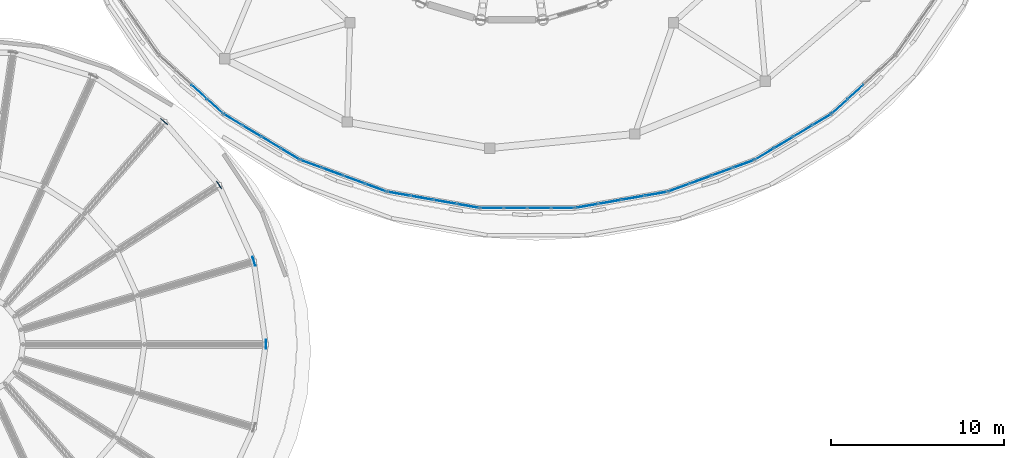
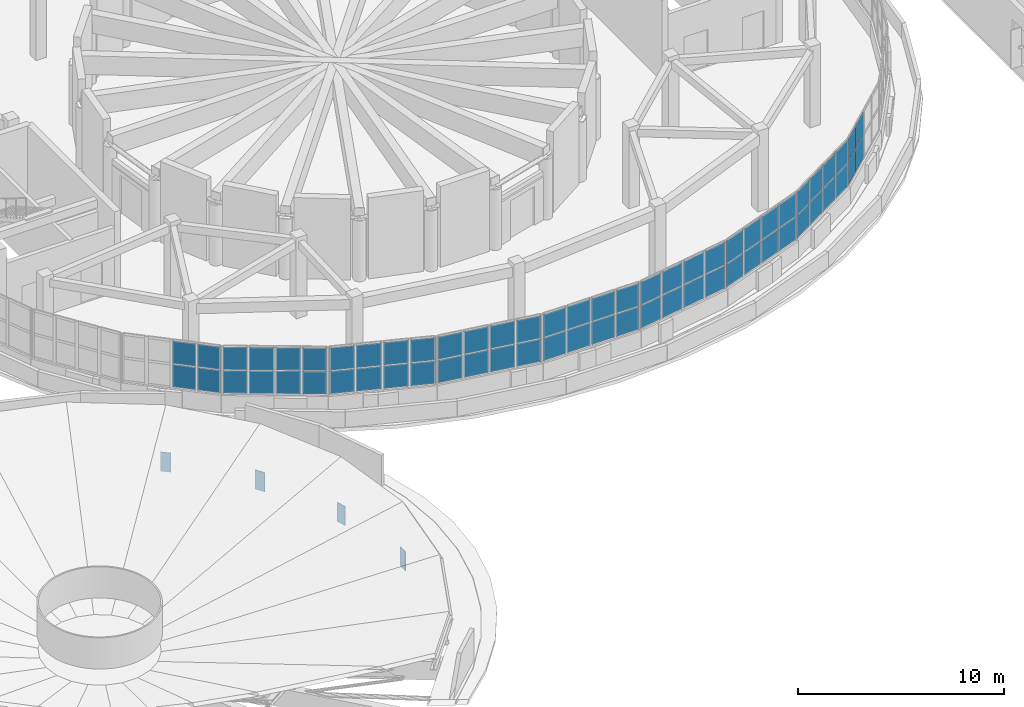
# One storey, part 43 of 69: 68 plates, 9 elements without a shape of their own.
"""IFC4 building model written with IfcOpenShell, lengths in metres."""

from ifc_helpers import new_model, si_unit, direction, frame, origin, origin_2d, place, context, subcontext, project, spatial, rectangle, extrude, material, layer, layer_set, type_object, element, aggregate, save


model = new_model("IFC4")

# Units and contexts
model_context = context("Model", 3, precision=1e-05, world=origin(), true_north=direction((0.0, 1.0)))
body_context = subcontext(model_context, "Body", "Model", "MODEL_VIEW")
ifc_project = project(units=[si_unit("LENGTHUNIT", "METRE"), si_unit("AREAUNIT", "SQUARE_METRE"), si_unit("VOLUMEUNIT", "CUBIC_METRE"), si_unit("PLANEANGLEUNIT", "RADIAN"), si_unit("MASSUNIT", "GRAM", prefix="KILO")], contexts=[model_context])

# Site, building, storey
site_placement = place(None, origin())
site = spatial("IfcSite", under=ifc_project, at=site_placement, CompositionType="ELEMENT")
building_placement = place(site_placement, origin())
building = spatial("IfcBuilding", under=site, at=building_placement, Name="Pelvatis Terrace Science Centre", CompositionType="ELEMENT")
storey_placement = place(building_placement, frame((0.0, 0.0, 15.0)))
storey = spatial("IfcBuildingStorey", under=building, at=storey_placement, Name="L03", CompositionType="ELEMENT", Elevation=15.0)

# Curtain wall, plates
ifc_material_1 = material(Name="Bronze-anodised aluminium and laminated glass", Category="aluminium")
ifc_layer_1 = layer(ifc_material_1, 0.179931640625)
ifc_layer_set_1 = layer_set([ifc_layer_1], Name="Bronze-anodised aluminium and laminated glass")
curtain_wall_type = type_object("IfcCurtainWallType", Name="CW-RIBBON-A", PredefinedType="NOTDEFINED", material=ifc_layer_set_1)
curtain_wall_1_placement = place(storey_placement, origin())
curtain_wall_1 = element("IfcCurtainWall", 1, at=curtain_wall_1_placement, inside=storey, type_object=curtain_wall_type, Name="Ribbon curtain wall CW-201 (L03)", PredefinedType="NOTDEFINED")
ifc_material_2 = material(Name="Low-e laminated solar-control double glazing", Category="glass")
ifc_layer_2 = layer(ifc_material_2, 0.035888671875)
ifc_layer_set_2 = layer_set([ifc_layer_2], Name="Low-e laminated solar-control double glazing")
plate_type_1 = type_object("IfcPlateType", Name="CWP-IGU-36", PredefinedType="CURTAIN_PANEL", material=ifc_layer_set_2)
plate_1_placement = place(storey_placement, frame((91.158203125, 69.172119140625, 1.080078125), z_axis=(0.0, 0.0, 1.0), x_axis=(0.737404165127, -0.675451772708, 0.0)))
plate_1 = element("IfcPlate", 2, at=plate_1_placement, type_object=plate_type_1, Name="CW-201 panel 3.1", PredefinedType="CURTAIN_PANEL", context=body_context, shape_type="SweptSolid", body=[
    extrude(rectangle(XDim=1.184814453125, YDim=0.035888671875, at=origin_2d()), origin(), (0.0, 0.0, 1.0), 1.3349609375),
])
plate_2_placement = place(storey_placement, frame((91.158203125, 69.172119140625, 2.47509765625), z_axis=(0.0, 0.0, 1.0), x_axis=(0.737404165127, -0.675451772708, 0.0)))
plate_2 = element("IfcPlate", 3, at=plate_2_placement, type_object=plate_type_1, Name="CW-201 panel 3.2", PredefinedType="CURTAIN_PANEL", context=body_context, shape_type="SweptSolid", body=[
    extrude(rectangle(XDim=1.184814453125, YDim=0.035888671875, at=origin_2d()), origin(), (0.0, 0.0, 1.0), 1.3349609375),
])
plate_3_placement = place(storey_placement, frame((92.065185546875, 68.341552734375, 1.080078125), z_axis=(0.0, 0.0, 1.0), x_axis=(0.737404165127, -0.675451772708, 0.0)))
plate_3 = element("IfcPlate", 4, at=plate_3_placement, type_object=plate_type_1, Name="CW-201 panel 4.1", PredefinedType="CURTAIN_PANEL", context=body_context, shape_type="SweptSolid", body=[
    extrude(rectangle(XDim=1.155029296875, YDim=0.035888671875, at=origin_2d()), origin(), (0.0, 0.0, 1.0), 1.3349609375),
])
plate_4_placement = place(storey_placement, frame((92.065185546875, 68.341552734375, 2.47509765625), z_axis=(0.0, 0.0, 1.0), x_axis=(0.737404165127, -0.675451772708, 0.0)))
plate_4 = element("IfcPlate", 5, at=plate_4_placement, type_object=plate_type_1, Name="CW-201 panel 4.2", PredefinedType="CURTAIN_PANEL", context=body_context, shape_type="SweptSolid", body=[
    extrude(rectangle(XDim=1.155029296875, YDim=0.035888671875, at=origin_2d()), origin(), (0.0, 0.0, 1.0), 1.3349609375),
])
aggregate(curtain_wall_1, [plate_1, plate_2, plate_3, plate_4])

curtain_wall_2_placement = place(storey_placement, origin())
curtain_wall_2 = element("IfcCurtainWall", 6, at=curtain_wall_2_placement, inside=storey, type_object=curtain_wall_type, Name="Ribbon curtain wall CW-202 (L03)", PredefinedType="NOTDEFINED")
plate_5_placement = place(storey_placement, frame((93.10302734375, 67.570556640625, 1.080078125), z_axis=(0.0, 0.0, 1.0), x_axis=(0.857792823096, -0.51399559594, 0.0)))
plate_5 = element("IfcPlate", 7, at=plate_5_placement, type_object=plate_type_1, Name="CW-202 panel 1.1", PredefinedType="CURTAIN_PANEL", context=body_context, shape_type="SweptSolid", body=[
    extrude(rectangle(XDim=1.203857421875, YDim=0.035888671875, at=origin_2d()), origin(), (0.0, 0.0, 1.0), 1.3349609375),
])
plate_6_placement = place(storey_placement, frame((93.10302734375, 67.570556640625, 2.47509765625), z_axis=(0.0, 0.0, 1.0), x_axis=(0.857792823096, -0.51399559594, 0.0)))
plate_6 = element("IfcPlate", 8, at=plate_6_placement, type_object=plate_type_1, Name="CW-202 panel 1.2", PredefinedType="CURTAIN_PANEL", context=body_context, shape_type="SweptSolid", body=[
    extrude(rectangle(XDim=1.203857421875, YDim=0.035888671875, at=origin_2d()), origin(), (0.0, 0.0, 1.0), 1.3349609375),
])
plate_7_placement = place(storey_placement, frame((94.2001953125, 66.913330078125, 1.080078125), z_axis=(0.0, 0.0, 1.0), x_axis=(0.857792823096, -0.51399559594, 0.0)))
plate_7 = element("IfcPlate", 9, at=plate_7_placement, type_object=plate_type_1, Name="CW-202 panel 2.1", PredefinedType="CURTAIN_PANEL", context=body_context, shape_type="SweptSolid", body=[
    extrude(rectangle(XDim=1.23388671875, YDim=0.035888671875, at=origin_2d()), origin(), (0.0, 0.0, 1.0), 1.3349609375),
])
plate_8_placement = place(storey_placement, frame((94.2001953125, 66.913330078125, 2.47509765625), z_axis=(0.0, 0.0, 1.0), x_axis=(0.857792823096, -0.51399559594, 0.0)))
plate_8 = element("IfcPlate", 10, at=plate_8_placement, type_object=plate_type_1, Name="CW-202 panel 2.2", PredefinedType="CURTAIN_PANEL", context=body_context, shape_type="SweptSolid", body=[
    extrude(rectangle(XDim=1.23388671875, YDim=0.035888671875, at=origin_2d()), origin(), (0.0, 0.0, 1.0), 1.3349609375),
])
plate_9_placement = place(storey_placement, frame((95.31005859375, 66.248291015625, 1.080078125), z_axis=(0.0, 0.0, 1.0), x_axis=(0.857792823096, -0.51399559594, 0.0)))
plate_9 = element("IfcPlate", 11, at=plate_9_placement, type_object=plate_type_1, Name="CW-202 panel 3.1", PredefinedType="CURTAIN_PANEL", context=body_context, shape_type="SweptSolid", body=[
    extrude(rectangle(XDim=1.23388671875, YDim=0.035888671875, at=origin_2d()), origin(), (0.0, 0.0, 1.0), 1.3349609375),
])
plate_10_placement = place(storey_placement, frame((95.31005859375, 66.248291015625, 2.47509765625), z_axis=(0.0, 0.0, 1.0), x_axis=(0.857792823096, -0.51399559594, 0.0)))
plate_10 = element("IfcPlate", 12, at=plate_10_placement, type_object=plate_type_1, Name="CW-202 panel 3.2", PredefinedType="CURTAIN_PANEL", context=body_context, shape_type="SweptSolid", body=[
    extrude(rectangle(XDim=1.23388671875, YDim=0.035888671875, at=origin_2d()), origin(), (0.0, 0.0, 1.0), 1.3349609375),
])
plate_11_placement = place(storey_placement, frame((96.4072265625, 65.5908203125, 1.080078125), z_axis=(0.0, 0.0, 1.0), x_axis=(0.857792823096, -0.51399559594, 0.0)))
plate_11 = element("IfcPlate", 13, at=plate_11_placement, type_object=plate_type_1, Name="CW-202 panel 4.1", PredefinedType="CURTAIN_PANEL", context=body_context, shape_type="SweptSolid", body=[
    extrude(rectangle(XDim=1.203857421875, YDim=0.035888671875, at=origin_2d()), origin(), (0.0, 0.0, 1.0), 1.3349609375),
])
plate_12_placement = place(storey_placement, frame((96.4072265625, 65.5908203125, 2.47509765625), z_axis=(0.0, 0.0, 1.0), x_axis=(0.857792823096, -0.51399559594, 0.0)))
plate_12 = element("IfcPlate", 14, at=plate_12_placement, type_object=plate_type_1, Name="CW-202 panel 4.2", PredefinedType="CURTAIN_PANEL", context=body_context, shape_type="SweptSolid", body=[
    extrude(rectangle(XDim=1.203857421875, YDim=0.035888671875, at=origin_2d()), origin(), (0.0, 0.0, 1.0), 1.3349609375),
])
aggregate(curtain_wall_2, [plate_5, plate_6, plate_7, plate_8, plate_9, plate_10, plate_11, plate_12])

curtain_wall_3_placement = place(storey_placement, origin())
curtain_wall_3 = element("IfcCurtainWall", 15, at=curtain_wall_3_placement, inside=storey, type_object=curtain_wall_type, Name="Ribbon curtain wall CW-203 (L03)", PredefinedType="NOTDEFINED")
plate_13_placement = place(storey_placement, frame((97.61572265625, 65.015380859375, 1.080078125), z_axis=(0.0, 0.0, 1.0), x_axis=(0.938707353783, -0.34471510549, 0.0)))
plate_13 = element("IfcPlate", 16, at=plate_13_placement, type_object=plate_type_1, Name="CW-203 panel 1.1", PredefinedType="CURTAIN_PANEL", context=body_context, shape_type="SweptSolid", body=[
    extrude(rectangle(XDim=1.2451171875, YDim=0.035888671875, at=origin_2d()), origin(), (0.0, 0.0, 1.0), 1.3349609375),
])
plate_14_placement = place(storey_placement, frame((97.61572265625, 65.015380859375, 2.47509765625), z_axis=(0.0, 0.0, 1.0), x_axis=(0.938707353783, -0.34471510549, 0.0)))
plate_14 = element("IfcPlate", 17, at=plate_14_placement, type_object=plate_type_1, Name="CW-203 panel 1.2", PredefinedType="CURTAIN_PANEL", context=body_context, shape_type="SweptSolid", body=[
    extrude(rectangle(XDim=1.2451171875, YDim=0.035888671875, at=origin_2d()), origin(), (0.0, 0.0, 1.0), 1.3349609375),
])
plate_15_placement = place(storey_placement, frame((98.85498046875, 64.560302734375, 1.080078125), z_axis=(0.0, 0.0, 1.0), x_axis=(0.938707353783, -0.34471510549, 0.0)))
plate_15 = element("IfcPlate", 18, at=plate_15_placement, type_object=plate_type_1, Name="CW-203 panel 2.1", PredefinedType="CURTAIN_PANEL", context=body_context, shape_type="SweptSolid", body=[
    extrude(rectangle(XDim=1.275146484375, YDim=0.035888671875, at=origin_2d()), origin(), (0.0, 0.0, 1.0), 1.3349609375),
])
plate_16_placement = place(storey_placement, frame((98.85498046875, 64.560302734375, 2.47509765625), z_axis=(0.0, 0.0, 1.0), x_axis=(0.938707353783, -0.34471510549, 0.0)))
plate_16 = element("IfcPlate", 19, at=plate_16_placement, type_object=plate_type_1, Name="CW-203 panel 2.2", PredefinedType="CURTAIN_PANEL", context=body_context, shape_type="SweptSolid", body=[
    extrude(rectangle(XDim=1.275146484375, YDim=0.035888671875, at=origin_2d()), origin(), (0.0, 0.0, 1.0), 1.3349609375),
])
plate_17_placement = place(storey_placement, frame((100.1083984375, 64.099853515625, 1.080078125), z_axis=(0.0, 0.0, 1.0), x_axis=(0.938707353783, -0.34471510549, 0.0)))
plate_17 = element("IfcPlate", 20, at=plate_17_placement, type_object=plate_type_1, Name="CW-203 panel 3.1", PredefinedType="CURTAIN_PANEL", context=body_context, shape_type="SweptSolid", body=[
    extrude(rectangle(XDim=1.275146484375, YDim=0.035888671875, at=origin_2d()), origin(), (0.0, 0.0, 1.0), 1.3349609375),
])
plate_18_placement = place(storey_placement, frame((100.1083984375, 64.099853515625, 2.47509765625), z_axis=(0.0, 0.0, 1.0), x_axis=(0.938707353783, -0.34471510549, 0.0)))
plate_18 = element("IfcPlate", 21, at=plate_18_placement, type_object=plate_type_1, Name="CW-203 panel 3.2", PredefinedType="CURTAIN_PANEL", context=body_context, shape_type="SweptSolid", body=[
    extrude(rectangle(XDim=1.275146484375, YDim=0.035888671875, at=origin_2d()), origin(), (0.0, 0.0, 1.0), 1.3349609375),
])
plate_19_placement = place(storey_placement, frame((101.34765625, 63.644775390625, 1.080078125), z_axis=(0.0, 0.0, 1.0), x_axis=(0.938707353783, -0.34471510549, 0.0)))
plate_19 = element("IfcPlate", 22, at=plate_19_placement, type_object=plate_type_1, Name="CW-203 panel 4.1", PredefinedType="CURTAIN_PANEL", context=body_context, shape_type="SweptSolid", body=[
    extrude(rectangle(XDim=1.2451171875, YDim=0.035888671875, at=origin_2d()), origin(), (0.0, 0.0, 1.0), 1.3349609375),
])
plate_20_placement = place(storey_placement, frame((101.34765625, 63.644775390625, 2.47509765625), z_axis=(0.0, 0.0, 1.0), x_axis=(0.938707353783, -0.34471510549, 0.0)))
plate_20 = element("IfcPlate", 23, at=plate_20_placement, type_object=plate_type_1, Name="CW-203 panel 4.2", PredefinedType="CURTAIN_PANEL", context=body_context, shape_type="SweptSolid", body=[
    extrude(rectangle(XDim=1.2451171875, YDim=0.035888671875, at=origin_2d()), origin(), (0.0, 0.0, 1.0), 1.3349609375),
])
aggregate(curtain_wall_3, [plate_13, plate_14, plate_15, plate_16, plate_17, plate_18, plate_19, plate_20])

curtain_wall_4_placement = place(storey_placement, origin())
curtain_wall_4 = element("IfcCurtainWall", 24, at=curtain_wall_4_placement, inside=storey, type_object=curtain_wall_type, Name="Ribbon curtain wall CW-204 (L03)", PredefinedType="NOTDEFINED")
plate_21_placement = place(storey_placement, frame((102.674072265625, 63.289306640625, 1.080078125), z_axis=(0.0, 0.0, 1.0), x_axis=(0.984979480969, -0.172671428067, 0.0)))
plate_21 = element("IfcPlate", 25, at=plate_21_placement, type_object=plate_type_1, Name="CW-204 panel 1.1", PredefinedType="CURTAIN_PANEL", context=body_context, shape_type="SweptSolid", body=[
    extrude(rectangle(XDim=1.2724609375, YDim=0.035888671875, at=origin_2d()), origin(), (0.0, 0.0, 1.0), 1.3349609375),
])
plate_22_placement = place(storey_placement, frame((102.674072265625, 63.289306640625, 2.47509765625), z_axis=(0.0, 0.0, 1.0), x_axis=(0.984979480969, -0.172671428067, 0.0)))
plate_22 = element("IfcPlate", 26, at=plate_22_placement, type_object=plate_type_1, Name="CW-204 panel 1.2", PredefinedType="CURTAIN_PANEL", context=body_context, shape_type="SweptSolid", body=[
    extrude(rectangle(XDim=1.2724609375, YDim=0.035888671875, at=origin_2d()), origin(), (0.0, 0.0, 1.0), 1.3349609375),
])
plate_23_placement = place(storey_placement, frame((104.001220703125, 63.056640625, 1.080078125), z_axis=(0.0, 0.0, 1.0), x_axis=(0.984979480969, -0.172671428067, 0.0)))
plate_23 = element("IfcPlate", 27, at=plate_23_placement, type_object=plate_type_1, Name="CW-204 panel 2.1", PredefinedType="CURTAIN_PANEL", context=body_context, shape_type="SweptSolid", body=[
    extrude(rectangle(XDim=1.302490234375, YDim=0.035888671875, at=origin_2d()), origin(), (0.0, 0.0, 1.0), 1.3349609375),
])
plate_24_placement = place(storey_placement, frame((104.001220703125, 63.056640625, 2.47509765625), z_axis=(0.0, 0.0, 1.0), x_axis=(0.984979480969, -0.172671428067, 0.0)))
plate_24 = element("IfcPlate", 28, at=plate_24_placement, type_object=plate_type_1, Name="CW-204 panel 2.2", PredefinedType="CURTAIN_PANEL", context=body_context, shape_type="SweptSolid", body=[
    extrude(rectangle(XDim=1.302490234375, YDim=0.035888671875, at=origin_2d()), origin(), (0.0, 0.0, 1.0), 1.3349609375),
])
plate_25_placement = place(storey_placement, frame((105.34326171875, 62.821533203125, 1.080078125), z_axis=(0.0, 0.0, 1.0), x_axis=(0.984979480969, -0.172671428067, 0.0)))
plate_25 = element("IfcPlate", 29, at=plate_25_placement, type_object=plate_type_1, Name="CW-204 panel 3.1", PredefinedType="CURTAIN_PANEL", context=body_context, shape_type="SweptSolid", body=[
    extrude(rectangle(XDim=1.302490234375, YDim=0.035888671875, at=origin_2d()), origin(), (0.0, 0.0, 1.0), 1.3349609375),
])
plate_26_placement = place(storey_placement, frame((105.34326171875, 62.821533203125, 2.47509765625), z_axis=(0.0, 0.0, 1.0), x_axis=(0.984979480969, -0.172671428067, 0.0)))
plate_26 = element("IfcPlate", 30, at=plate_26_placement, type_object=plate_type_1, Name="CW-204 panel 3.2", PredefinedType="CURTAIN_PANEL", context=body_context, shape_type="SweptSolid", body=[
    extrude(rectangle(XDim=1.302490234375, YDim=0.035888671875, at=origin_2d()), origin(), (0.0, 0.0, 1.0), 1.3349609375),
])
plate_27_placement = place(storey_placement, frame((106.67041015625, 62.5888671875, 1.080078125), z_axis=(0.0, 0.0, 1.0), x_axis=(0.984979480969, -0.172671428067, 0.0)))
plate_27 = element("IfcPlate", 31, at=plate_27_placement, type_object=plate_type_1, Name="CW-204 panel 4.1", PredefinedType="CURTAIN_PANEL", context=body_context, shape_type="SweptSolid", body=[
    extrude(rectangle(XDim=1.2724609375, YDim=0.035888671875, at=origin_2d()), origin(), (0.0, 0.0, 1.0), 1.3349609375),
])
plate_28_placement = place(storey_placement, frame((106.67041015625, 62.5888671875, 2.47509765625), z_axis=(0.0, 0.0, 1.0), x_axis=(0.984979480969, -0.172671428067, 0.0)))
plate_28 = element("IfcPlate", 32, at=plate_28_placement, type_object=plate_type_1, Name="CW-204 panel 4.2", PredefinedType="CURTAIN_PANEL", context=body_context, shape_type="SweptSolid", body=[
    extrude(rectangle(XDim=1.2724609375, YDim=0.035888671875, at=origin_2d()), origin(), (0.0, 0.0, 1.0), 1.3349609375),
])
aggregate(curtain_wall_4, [plate_21, plate_22, plate_23, plate_24, plate_25, plate_26, plate_27, plate_28])

curtain_wall_5_placement = place(storey_placement, origin())
curtain_wall_5 = element("IfcCurtainWall", 33, at=curtain_wall_5_placement, inside=storey, type_object=curtain_wall_type, Name="Ribbon curtain wall CW-205 (L03)", PredefinedType="NOTDEFINED")
plate_29_placement = place(storey_placement, frame((108.05712890625, 62.468505859375, 1.080078125), z_axis=(0.0, 0.0, 1.0), x_axis=(1.0, 0.0, 0.0)))
plate_29 = element("IfcPlate", 34, at=plate_29_placement, type_object=plate_type_1, Name="CW-205 panel 1.1", PredefinedType="CURTAIN_PANEL", context=body_context, shape_type="SweptSolid", body=[
    extrude(rectangle(XDim=1.281982421875, YDim=0.035888671875, at=origin_2d()), origin(), (0.0, 0.0, 1.0), 1.3349609375),
])
plate_30_placement = place(storey_placement, frame((108.05712890625, 62.468505859375, 2.47509765625), z_axis=(0.0, 0.0, 1.0), x_axis=(1.0, 0.0, 0.0)))
plate_30 = element("IfcPlate", 35, at=plate_30_placement, type_object=plate_type_1, Name="CW-205 panel 1.2", PredefinedType="CURTAIN_PANEL", context=body_context, shape_type="SweptSolid", body=[
    extrude(rectangle(XDim=1.281982421875, YDim=0.035888671875, at=origin_2d()), origin(), (0.0, 0.0, 1.0), 1.3349609375),
])
plate_31_placement = place(storey_placement, frame((109.4140625, 62.468505859375, 1.080078125), z_axis=(0.0, 0.0, 1.0), x_axis=(1.0, 0.0, 0.0)))
plate_31 = element("IfcPlate", 36, at=plate_31_placement, type_object=plate_type_1, Name="CW-205 panel 2.1", PredefinedType="CURTAIN_PANEL", context=body_context, shape_type="SweptSolid", body=[
    extrude(rectangle(XDim=1.31201171875, YDim=0.035888671875, at=origin_2d()), origin(), (0.0, 0.0, 1.0), 1.3349609375),
])
plate_32_placement = place(storey_placement, frame((109.4140625, 62.468505859375, 2.47509765625), z_axis=(0.0, 0.0, 1.0), x_axis=(1.0, 0.0, 0.0)))
plate_32 = element("IfcPlate", 37, at=plate_32_placement, type_object=plate_type_1, Name="CW-205 panel 2.2", PredefinedType="CURTAIN_PANEL", context=body_context, shape_type="SweptSolid", body=[
    extrude(rectangle(XDim=1.31201171875, YDim=0.035888671875, at=origin_2d()), origin(), (0.0, 0.0, 1.0), 1.3349609375),
])
plate_33_placement = place(storey_placement, frame((110.785888671875, 62.468505859375, 1.080078125), z_axis=(0.0, 0.0, 1.0), x_axis=(1.0, 0.0, 0.0)))
plate_33 = element("IfcPlate", 38, at=plate_33_placement, type_object=plate_type_1, Name="CW-205 panel 3.1", PredefinedType="CURTAIN_PANEL", context=body_context, shape_type="SweptSolid", body=[
    extrude(rectangle(XDim=1.31201171875, YDim=0.035888671875, at=origin_2d()), origin(), (0.0, 0.0, 1.0), 1.3349609375),
])
plate_34_placement = place(storey_placement, frame((110.785888671875, 62.468505859375, 2.47509765625), z_axis=(0.0, 0.0, 1.0), x_axis=(1.0, 0.0, 0.0)))
plate_34 = element("IfcPlate", 39, at=plate_34_placement, type_object=plate_type_1, Name="CW-205 panel 3.2", PredefinedType="CURTAIN_PANEL", context=body_context, shape_type="SweptSolid", body=[
    extrude(rectangle(XDim=1.31201171875, YDim=0.035888671875, at=origin_2d()), origin(), (0.0, 0.0, 1.0), 1.3349609375),
])
plate_35_placement = place(storey_placement, frame((112.142822265625, 62.468505859375, 1.080078125), z_axis=(0.0, 0.0, 1.0), x_axis=(1.0, 0.0, 0.0)))
plate_35 = element("IfcPlate", 40, at=plate_35_placement, type_object=plate_type_1, Name="CW-205 panel 4.1", PredefinedType="CURTAIN_PANEL", context=body_context, shape_type="SweptSolid", body=[
    extrude(rectangle(XDim=1.281982421875, YDim=0.035888671875, at=origin_2d()), origin(), (0.0, 0.0, 1.0), 1.3349609375),
])
plate_36_placement = place(storey_placement, frame((112.142822265625, 62.468505859375, 2.47509765625), z_axis=(0.0, 0.0, 1.0), x_axis=(1.0, 0.0, 0.0)))
plate_36 = element("IfcPlate", 41, at=plate_36_placement, type_object=plate_type_1, Name="CW-205 panel 4.2", PredefinedType="CURTAIN_PANEL", context=body_context, shape_type="SweptSolid", body=[
    extrude(rectangle(XDim=1.281982421875, YDim=0.035888671875, at=origin_2d()), origin(), (0.0, 0.0, 1.0), 1.3349609375),
])
aggregate(curtain_wall_5, [plate_29, plate_30, plate_31, plate_32, plate_33, plate_34, plate_35, plate_36])

curtain_wall_6_placement = place(storey_placement, origin())
curtain_wall_6 = element("IfcCurtainWall", 42, at=curtain_wall_6_placement, inside=storey, type_object=curtain_wall_type, Name="Ribbon curtain wall CW-206 (L03)", PredefinedType="NOTDEFINED")
plate_37_placement = place(storey_placement, frame((113.529541015625, 62.5888671875, 1.080078125), z_axis=(0.0, 0.0, 1.0), x_axis=(0.984979480969, 0.172671428067, 0.0)))
plate_37 = element("IfcPlate", 43, at=plate_37_placement, type_object=plate_type_1, Name="CW-206 panel 1.1", PredefinedType="CURTAIN_PANEL", context=body_context, shape_type="SweptSolid", body=[
    extrude(rectangle(XDim=1.2724609375, YDim=0.035888671875, at=origin_2d()), origin(), (0.0, 0.0, 1.0), 1.3349609375),
])
plate_38_placement = place(storey_placement, frame((113.529541015625, 62.5888671875, 2.47509765625), z_axis=(0.0, 0.0, 1.0), x_axis=(0.984979480969, 0.172671428067, 0.0)))
plate_38 = element("IfcPlate", 44, at=plate_38_placement, type_object=plate_type_1, Name="CW-206 panel 1.2", PredefinedType="CURTAIN_PANEL", context=body_context, shape_type="SweptSolid", body=[
    extrude(rectangle(XDim=1.2724609375, YDim=0.035888671875, at=origin_2d()), origin(), (0.0, 0.0, 1.0), 1.3349609375),
])
plate_39_placement = place(storey_placement, frame((114.85693359375, 62.821533203125, 1.080078125), z_axis=(0.0, 0.0, 1.0), x_axis=(0.984979480969, 0.172671428067, 0.0)))
plate_39 = element("IfcPlate", 45, at=plate_39_placement, type_object=plate_type_1, Name="CW-206 panel 2.1", PredefinedType="CURTAIN_PANEL", context=body_context, shape_type="SweptSolid", body=[
    extrude(rectangle(XDim=1.302490234375, YDim=0.035888671875, at=origin_2d()), origin(), (0.0, 0.0, 1.0), 1.3349609375),
])
plate_40_placement = place(storey_placement, frame((114.85693359375, 62.821533203125, 2.47509765625), z_axis=(0.0, 0.0, 1.0), x_axis=(0.984979480969, 0.172671428067, 0.0)))
plate_40 = element("IfcPlate", 46, at=plate_40_placement, type_object=plate_type_1, Name="CW-206 panel 2.2", PredefinedType="CURTAIN_PANEL", context=body_context, shape_type="SweptSolid", body=[
    extrude(rectangle(XDim=1.302490234375, YDim=0.035888671875, at=origin_2d()), origin(), (0.0, 0.0, 1.0), 1.3349609375),
])
plate_41_placement = place(storey_placement, frame((116.19873046875, 63.056640625, 1.080078125), z_axis=(0.0, 0.0, 1.0), x_axis=(0.984979480969, 0.172671428067, 0.0)))
plate_41 = element("IfcPlate", 47, at=plate_41_placement, type_object=plate_type_1, Name="CW-206 panel 3.1", PredefinedType="CURTAIN_PANEL", context=body_context, shape_type="SweptSolid", body=[
    extrude(rectangle(XDim=1.302490234375, YDim=0.035888671875, at=origin_2d()), origin(), (0.0, 0.0, 1.0), 1.3349609375),
])
plate_42_placement = place(storey_placement, frame((116.19873046875, 63.056640625, 2.47509765625), z_axis=(0.0, 0.0, 1.0), x_axis=(0.984979480969, 0.172671428067, 0.0)))
plate_42 = element("IfcPlate", 48, at=plate_42_placement, type_object=plate_type_1, Name="CW-206 panel 3.2", PredefinedType="CURTAIN_PANEL", context=body_context, shape_type="SweptSolid", body=[
    extrude(rectangle(XDim=1.302490234375, YDim=0.035888671875, at=origin_2d()), origin(), (0.0, 0.0, 1.0), 1.3349609375),
])
plate_43_placement = place(storey_placement, frame((117.52587890625, 63.289306640625, 1.080078125), z_axis=(0.0, 0.0, 1.0), x_axis=(0.984979480969, 0.172671428067, 0.0)))
plate_43 = element("IfcPlate", 49, at=plate_43_placement, type_object=plate_type_1, Name="CW-206 panel 4.1", PredefinedType="CURTAIN_PANEL", context=body_context, shape_type="SweptSolid", body=[
    extrude(rectangle(XDim=1.2724609375, YDim=0.035888671875, at=origin_2d()), origin(), (0.0, 0.0, 1.0), 1.3349609375),
])
plate_44_placement = place(storey_placement, frame((117.52587890625, 63.289306640625, 2.47509765625), z_axis=(0.0, 0.0, 1.0), x_axis=(0.984979480969, 0.172671428067, 0.0)))
plate_44 = element("IfcPlate", 50, at=plate_44_placement, type_object=plate_type_1, Name="CW-206 panel 4.2", PredefinedType="CURTAIN_PANEL", context=body_context, shape_type="SweptSolid", body=[
    extrude(rectangle(XDim=1.2724609375, YDim=0.035888671875, at=origin_2d()), origin(), (0.0, 0.0, 1.0), 1.3349609375),
])
aggregate(curtain_wall_6, [plate_37, plate_38, plate_39, plate_40, plate_41, plate_42, plate_43, plate_44])

curtain_wall_7_placement = place(storey_placement, origin())
curtain_wall_7 = element("IfcCurtainWall", 51, at=curtain_wall_7_placement, inside=storey, type_object=curtain_wall_type, Name="Ribbon curtain wall CW-207 (L03)", PredefinedType="NOTDEFINED")
plate_45_placement = place(storey_placement, frame((118.8525390625, 63.644775390625, 1.080078125), z_axis=(0.0, 0.0, 1.0), x_axis=(0.938707353783, 0.34471510549, 0.0)))
plate_45 = element("IfcPlate", 52, at=plate_45_placement, type_object=plate_type_1, Name="CW-207 panel 1.1", PredefinedType="CURTAIN_PANEL", context=body_context, shape_type="SweptSolid", body=[
    extrude(rectangle(XDim=1.2451171875, YDim=0.035888671875, at=origin_2d()), origin(), (0.0, 0.0, 1.0), 1.3349609375),
])
plate_46_placement = place(storey_placement, frame((118.8525390625, 63.644775390625, 2.47509765625), z_axis=(0.0, 0.0, 1.0), x_axis=(0.938707353783, 0.34471510549, 0.0)))
plate_46 = element("IfcPlate", 53, at=plate_46_placement, type_object=plate_type_1, Name="CW-207 panel 1.2", PredefinedType="CURTAIN_PANEL", context=body_context, shape_type="SweptSolid", body=[
    extrude(rectangle(XDim=1.2451171875, YDim=0.035888671875, at=origin_2d()), origin(), (0.0, 0.0, 1.0), 1.3349609375),
])
plate_47_placement = place(storey_placement, frame((120.091796875, 64.099853515625, 1.080078125), z_axis=(0.0, 0.0, 1.0), x_axis=(0.938707353783, 0.34471510549, 0.0)))
plate_47 = element("IfcPlate", 54, at=plate_47_placement, type_object=plate_type_1, Name="CW-207 panel 2.1", PredefinedType="CURTAIN_PANEL", context=body_context, shape_type="SweptSolid", body=[
    extrude(rectangle(XDim=1.275146484375, YDim=0.035888671875, at=origin_2d()), origin(), (0.0, 0.0, 1.0), 1.3349609375),
])
plate_48_placement = place(storey_placement, frame((120.091796875, 64.099853515625, 2.47509765625), z_axis=(0.0, 0.0, 1.0), x_axis=(0.938707353783, 0.34471510549, 0.0)))
plate_48 = element("IfcPlate", 55, at=plate_48_placement, type_object=plate_type_1, Name="CW-207 panel 2.2", PredefinedType="CURTAIN_PANEL", context=body_context, shape_type="SweptSolid", body=[
    extrude(rectangle(XDim=1.275146484375, YDim=0.035888671875, at=origin_2d()), origin(), (0.0, 0.0, 1.0), 1.3349609375),
])
plate_49_placement = place(storey_placement, frame((121.344970703125, 64.560302734375, 1.080078125), z_axis=(0.0, 0.0, 1.0), x_axis=(0.938707353783, 0.34471510549, 0.0)))
plate_49 = element("IfcPlate", 56, at=plate_49_placement, type_object=plate_type_1, Name="CW-207 panel 3.1", PredefinedType="CURTAIN_PANEL", context=body_context, shape_type="SweptSolid", body=[
    extrude(rectangle(XDim=1.275146484375, YDim=0.035888671875, at=origin_2d()), origin(), (0.0, 0.0, 1.0), 1.3349609375),
])
plate_50_placement = place(storey_placement, frame((121.344970703125, 64.560302734375, 2.47509765625), z_axis=(0.0, 0.0, 1.0), x_axis=(0.938707353783, 0.34471510549, 0.0)))
plate_50 = element("IfcPlate", 57, at=plate_50_placement, type_object=plate_type_1, Name="CW-207 panel 3.2", PredefinedType="CURTAIN_PANEL", context=body_context, shape_type="SweptSolid", body=[
    extrude(rectangle(XDim=1.275146484375, YDim=0.035888671875, at=origin_2d()), origin(), (0.0, 0.0, 1.0), 1.3349609375),
])
plate_51_placement = place(storey_placement, frame((122.584228515625, 65.015380859375, 1.080078125), z_axis=(0.0, 0.0, 1.0), x_axis=(0.938707353783, 0.34471510549, 0.0)))
plate_51 = element("IfcPlate", 58, at=plate_51_placement, type_object=plate_type_1, Name="CW-207 panel 4.1", PredefinedType="CURTAIN_PANEL", context=body_context, shape_type="SweptSolid", body=[
    extrude(rectangle(XDim=1.2451171875, YDim=0.035888671875, at=origin_2d()), origin(), (0.0, 0.0, 1.0), 1.3349609375),
])
plate_52_placement = place(storey_placement, frame((122.584228515625, 65.015380859375, 2.47509765625), z_axis=(0.0, 0.0, 1.0), x_axis=(0.938707353783, 0.34471510549, 0.0)))
plate_52 = element("IfcPlate", 59, at=plate_52_placement, type_object=plate_type_1, Name="CW-207 panel 4.2", PredefinedType="CURTAIN_PANEL", context=body_context, shape_type="SweptSolid", body=[
    extrude(rectangle(XDim=1.2451171875, YDim=0.035888671875, at=origin_2d()), origin(), (0.0, 0.0, 1.0), 1.3349609375),
])
aggregate(curtain_wall_7, [plate_45, plate_46, plate_47, plate_48, plate_49, plate_50, plate_51, plate_52])

curtain_wall_8_placement = place(storey_placement, origin())
curtain_wall_8 = element("IfcCurtainWall", 60, at=curtain_wall_8_placement, inside=storey, type_object=curtain_wall_type, Name="Ribbon curtain wall CW-208 (L03)", PredefinedType="NOTDEFINED")
plate_53_placement = place(storey_placement, frame((123.792724609375, 65.5908203125, 1.080078125), z_axis=(0.0, 0.0, 1.0), x_axis=(0.857792823096, 0.51399559594, 0.0)))
plate_53 = element("IfcPlate", 61, at=plate_53_placement, type_object=plate_type_1, Name="CW-208 panel 1.1", PredefinedType="CURTAIN_PANEL", context=body_context, shape_type="SweptSolid", body=[
    extrude(rectangle(XDim=1.203857421875, YDim=0.035888671875, at=origin_2d()), origin(), (0.0, 0.0, 1.0), 1.3349609375),
])
plate_54_placement = place(storey_placement, frame((123.792724609375, 65.5908203125, 2.47509765625), z_axis=(0.0, 0.0, 1.0), x_axis=(0.857792823096, 0.51399559594, 0.0)))
plate_54 = element("IfcPlate", 62, at=plate_54_placement, type_object=plate_type_1, Name="CW-208 panel 1.2", PredefinedType="CURTAIN_PANEL", context=body_context, shape_type="SweptSolid", body=[
    extrude(rectangle(XDim=1.203857421875, YDim=0.035888671875, at=origin_2d()), origin(), (0.0, 0.0, 1.0), 1.3349609375),
])
plate_55_placement = place(storey_placement, frame((124.889892578125, 66.248291015625, 1.080078125), z_axis=(0.0, 0.0, 1.0), x_axis=(0.857792823096, 0.51399559594, 0.0)))
plate_55 = element("IfcPlate", 63, at=plate_55_placement, type_object=plate_type_1, Name="CW-208 panel 2.1", PredefinedType="CURTAIN_PANEL", context=body_context, shape_type="SweptSolid", body=[
    extrude(rectangle(XDim=1.23388671875, YDim=0.035888671875, at=origin_2d()), origin(), (0.0, 0.0, 1.0), 1.3349609375),
])
plate_56_placement = place(storey_placement, frame((124.889892578125, 66.248291015625, 2.47509765625), z_axis=(0.0, 0.0, 1.0), x_axis=(0.857792823096, 0.51399559594, 0.0)))
plate_56 = element("IfcPlate", 64, at=plate_56_placement, type_object=plate_type_1, Name="CW-208 panel 2.2", PredefinedType="CURTAIN_PANEL", context=body_context, shape_type="SweptSolid", body=[
    extrude(rectangle(XDim=1.23388671875, YDim=0.035888671875, at=origin_2d()), origin(), (0.0, 0.0, 1.0), 1.3349609375),
])
plate_57_placement = place(storey_placement, frame((125.999755859375, 66.913330078125, 1.080078125), z_axis=(0.0, 0.0, 1.0), x_axis=(0.857792823096, 0.51399559594, 0.0)))
plate_57 = element("IfcPlate", 65, at=plate_57_placement, type_object=plate_type_1, Name="CW-208 panel 3.1", PredefinedType="CURTAIN_PANEL", context=body_context, shape_type="SweptSolid", body=[
    extrude(rectangle(XDim=1.23388671875, YDim=0.035888671875, at=origin_2d()), origin(), (0.0, 0.0, 1.0), 1.3349609375),
])
plate_58_placement = place(storey_placement, frame((125.999755859375, 66.913330078125, 2.47509765625), z_axis=(0.0, 0.0, 1.0), x_axis=(0.857792823096, 0.51399559594, 0.0)))
plate_58 = element("IfcPlate", 66, at=plate_58_placement, type_object=plate_type_1, Name="CW-208 panel 3.2", PredefinedType="CURTAIN_PANEL", context=body_context, shape_type="SweptSolid", body=[
    extrude(rectangle(XDim=1.23388671875, YDim=0.035888671875, at=origin_2d()), origin(), (0.0, 0.0, 1.0), 1.3349609375),
])
plate_59_placement = place(storey_placement, frame((127.096923828125, 67.570556640625, 1.080078125), z_axis=(0.0, 0.0, 1.0), x_axis=(0.857792823096, 0.51399559594, 0.0)))
plate_59 = element("IfcPlate", 67, at=plate_59_placement, type_object=plate_type_1, Name="CW-208 panel 4.1", PredefinedType="CURTAIN_PANEL", context=body_context, shape_type="SweptSolid", body=[
    extrude(rectangle(XDim=1.203857421875, YDim=0.035888671875, at=origin_2d()), origin(), (0.0, 0.0, 1.0), 1.3349609375),
])
plate_60_placement = place(storey_placement, frame((127.096923828125, 67.570556640625, 2.47509765625), z_axis=(0.0, 0.0, 1.0), x_axis=(0.857792823096, 0.51399559594, 0.0)))
plate_60 = element("IfcPlate", 68, at=plate_60_placement, type_object=plate_type_1, Name="CW-208 panel 4.2", PredefinedType="CURTAIN_PANEL", context=body_context, shape_type="SweptSolid", body=[
    extrude(rectangle(XDim=1.203857421875, YDim=0.035888671875, at=origin_2d()), origin(), (0.0, 0.0, 1.0), 1.3349609375),
])
aggregate(curtain_wall_8, [plate_53, plate_54, plate_55, plate_56, plate_57, plate_58, plate_59, plate_60])

curtain_wall_9_placement = place(storey_placement, origin())
curtain_wall_9 = element("IfcCurtainWall", 69, at=curtain_wall_9_placement, inside=storey, type_object=curtain_wall_type, Name="Ribbon curtain wall CW-209 (L03)", PredefinedType="NOTDEFINED")
plate_61_placement = place(storey_placement, frame((128.134765625, 68.341552734375, 1.080078125), z_axis=(0.0, 0.0, 1.0), x_axis=(0.737404165127, 0.675451772708, 0.0)))
plate_61 = element("IfcPlate", 70, at=plate_61_placement, type_object=plate_type_1, Name="CW-209 panel 1.1", PredefinedType="CURTAIN_PANEL", context=body_context, shape_type="SweptSolid", body=[
    extrude(rectangle(XDim=1.155029296875, YDim=0.035888671875, at=origin_2d()), origin(), (0.0, 0.0, 1.0), 1.3349609375),
])
plate_62_placement = place(storey_placement, frame((128.134765625, 68.341552734375, 2.47509765625), z_axis=(0.0, 0.0, 1.0), x_axis=(0.737404165127, 0.675451772708, 0.0)))
plate_62 = element("IfcPlate", 71, at=plate_62_placement, type_object=plate_type_1, Name="CW-209 panel 1.2", PredefinedType="CURTAIN_PANEL", context=body_context, shape_type="SweptSolid", body=[
    extrude(rectangle(XDim=1.155029296875, YDim=0.035888671875, at=origin_2d()), origin(), (0.0, 0.0, 1.0), 1.3349609375),
])
plate_63_placement = place(storey_placement, frame((129.041748046875, 69.172119140625, 1.080078125), z_axis=(0.0, 0.0, 1.0), x_axis=(0.737404165127, 0.675451772708, 0.0)))
plate_63 = element("IfcPlate", 72, at=plate_63_placement, type_object=plate_type_1, Name="CW-209 panel 2.1", PredefinedType="CURTAIN_PANEL", context=body_context, shape_type="SweptSolid", body=[
    extrude(rectangle(XDim=1.184814453125, YDim=0.035888671875, at=origin_2d()), origin(), (0.0, 0.0, 1.0), 1.3349609375),
])
plate_64_placement = place(storey_placement, frame((129.041748046875, 69.172119140625, 2.47509765625), z_axis=(0.0, 0.0, 1.0), x_axis=(0.737404165127, 0.675451772708, 0.0)))
plate_64 = element("IfcPlate", 73, at=plate_64_placement, type_object=plate_type_1, Name="CW-209 panel 2.2", PredefinedType="CURTAIN_PANEL", context=body_context, shape_type="SweptSolid", body=[
    extrude(rectangle(XDim=1.184814453125, YDim=0.035888671875, at=origin_2d()), origin(), (0.0, 0.0, 1.0), 1.3349609375),
])
aggregate(curtain_wall_9, [plate_61, plate_62, plate_63, plate_64])

# Plates
ifc_material_3 = material(Name="Structural steel S355", Category="steel")
ifc_layer_3 = layer(ifc_material_3, 1.139892578125)
ifc_layer_set_3 = layer_set([ifc_layer_3], Name="Structural steel S355")
plate_type_2 = type_object("IfcPlateType", Name="PLT-CAP-BOX1100", PredefinedType="USERDEFINED", material=ifc_layer_set_3)
for number, where, z_axis, x_axis, name in (
    (74, (95.011962890625, 54.60009765625, -2.1201171875), (0.0, 0.0, 1.0), (-1.0, 0.0, 0.0), "Hollow box girder end cap plate 037"),
    (75, (94.322998046875, 59.392822265625, -2.1201171875), (0.0, 0.0, 1.0), (-0.959510852267, -0.281671660596, 0.0), "Hollow box girder end cap plate 039"),
    (76, (92.311279296875, 63.79736328125, -2.1201171875), (0.0, 0.0, 1.0), (-0.841227797435, -0.540680860418, 0.0), "Hollow box girder end cap plate 041"),
    (77, (89.140380859375, 67.456787109375, -2.1201171875), (0.0, 0.0, 1.0), (-0.654872725061, -0.755739183826, 0.0), "Hollow box girder end cap plate 043"),
):
    element("IfcPlate", number, at=place(storey_placement, frame(where, z_axis=z_axis, x_axis=x_axis)), inside=storey, type_object=plate_type_2, Name=name, ObjectType="CAP PLATE", PredefinedType="USERDEFINED", context=body_context, shape_type="SweptSolid", body=[
        extrude(rectangle(XDim=0.031982421875, YDim=0.52001953125, at=origin_2d()), origin(), (0.0, 0.0, 1.0), 1.139892578125),
    ])

save(model, "model.ifc")
